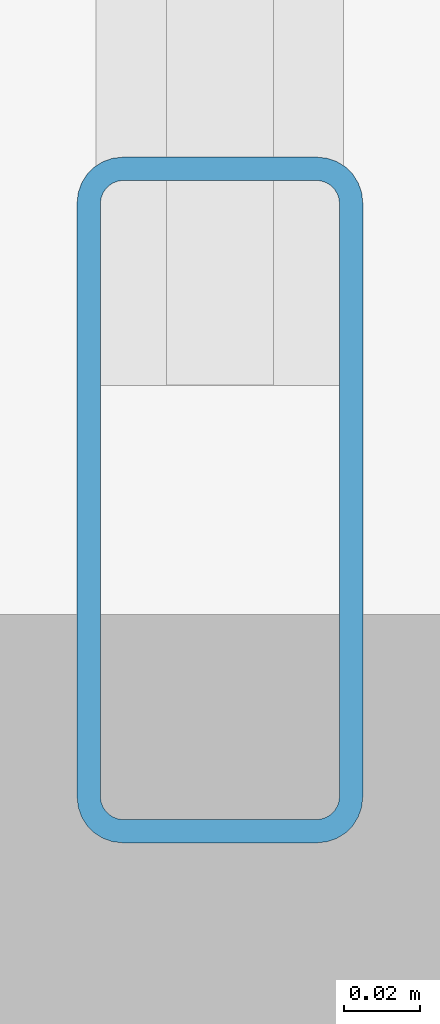
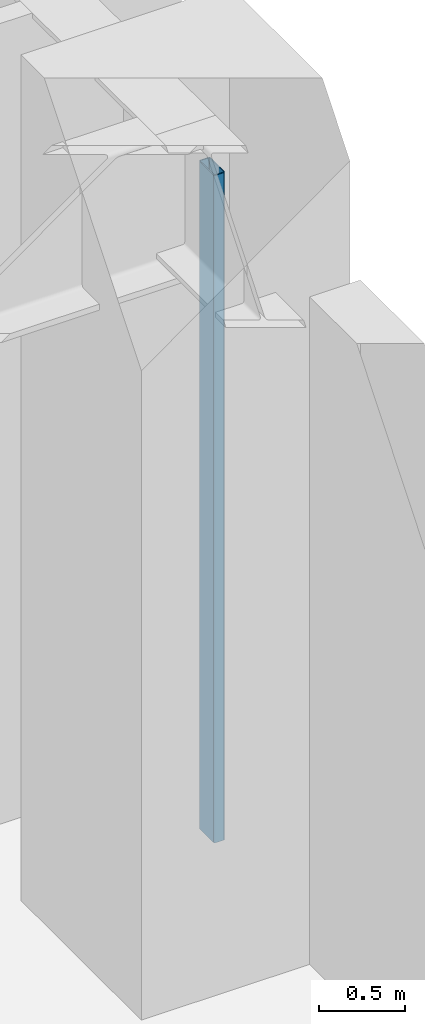
# One storey, part 13 of 31: 1 member, 1 element without a shape of its own.
"""IFC4 building model written with IfcOpenShell, lengths in metres."""

from ifc_helpers import new_model, si_unit, direction, frame, origin, origin_2d, place, context, subcontext, project, spatial, hollow_rectangle, extrude, material, layer, layer_set, material_profile, profile_set, type_object, element, aggregate, save


model = new_model("IFC4")

# Units and contexts
model_context = context("Model", 3, precision=1e-05, world=origin(), true_north=direction((0.0, 1.0)))
body_context = subcontext(model_context, "Body", "Model", "MODEL_VIEW")
ifc_project = project(units=[si_unit("LENGTHUNIT", "METRE"), si_unit("AREAUNIT", "SQUARE_METRE"), si_unit("VOLUMEUNIT", "CUBIC_METRE"), si_unit("PLANEANGLEUNIT", "RADIAN"), si_unit("MASSUNIT", "GRAM", prefix="KILO")], contexts=[model_context])

# Site, building, storey
site_placement = place(None, origin())
site = spatial("IfcSite", under=ifc_project, at=site_placement, CompositionType="ELEMENT")
building_placement = place(site_placement, origin())
building = spatial("IfcBuilding", under=site, at=building_placement, Name="Soratama Intermodal Tower", CompositionType="ELEMENT")
storey_placement = place(building_placement, origin())
storey = spatial("IfcBuildingStorey", under=building, at=storey_placement, Name="L00", CompositionType="ELEMENT", Elevation=0.0)

# Curtain wall, member
ifc_material_1 = material(Name="Double-glazed aluminium curtain wall", Category="aluminium")
ifc_layer = layer(ifc_material_1, 0.159912109375)
ifc_layer_set = layer_set([ifc_layer], Name="Double-glazed aluminium curtain wall")
curtain_wall_type = type_object("IfcCurtainWallType", Name="CW-SYS-1", PredefinedType="NOTDEFINED", material=ifc_layer_set)
curtain_wall_placement = place(storey_placement, origin())
curtain_wall = element("IfcCurtainWall", 1, at=curtain_wall_placement, inside=storey, type_object=curtain_wall_type, Name="L00 Station Curtain Wall E1", PredefinedType="NOTDEFINED")
ifc_material_2 = material(Name="Anodised aluminium AA 6063-T6", Category="aluminium")
ifc_material_profile = material_profile(ifc_material_2, hollow_rectangle(XDim=0.074951171875, YDim=0.179931640625, WallThickness=0.006103515625, InnerFilletRadius=0.006103515625, OuterFilletRadius=0.011962890625, at=origin_2d()), Name="CWM180X75X6")
ifc_profile_set = profile_set([ifc_material_profile], Name="Anodised aluminium AA 6063-T6")
member_type = type_object("IfcMemberType", Name="MT-CWM-1", PredefinedType="MULLION", material=ifc_profile_set)
member_placement = place(storey_placement, frame((83.800048828125, 15.72998046875, 0.0), z_axis=(0.0, 0.0, 1.0), x_axis=(-1.0, 0.0, 0.0)))
member = element("IfcMember", 2, at=member_placement, type_object=member_type, Name="CW-1 mullion 1", PredefinedType="MULLION", context=body_context, shape_type="SweptSolid", body=[
    extrude(hollow_rectangle(XDim=0.074951171875, YDim=0.179931640625, WallThickness=0.006103515625, InnerFilletRadius=0.006103515625, OuterFilletRadius=0.011962890625, at=origin_2d()), origin(), (0.0, 0.0, 1.0), 4.736083984375),
])
aggregate(curtain_wall, [member])

save(model, "model.ifc")
